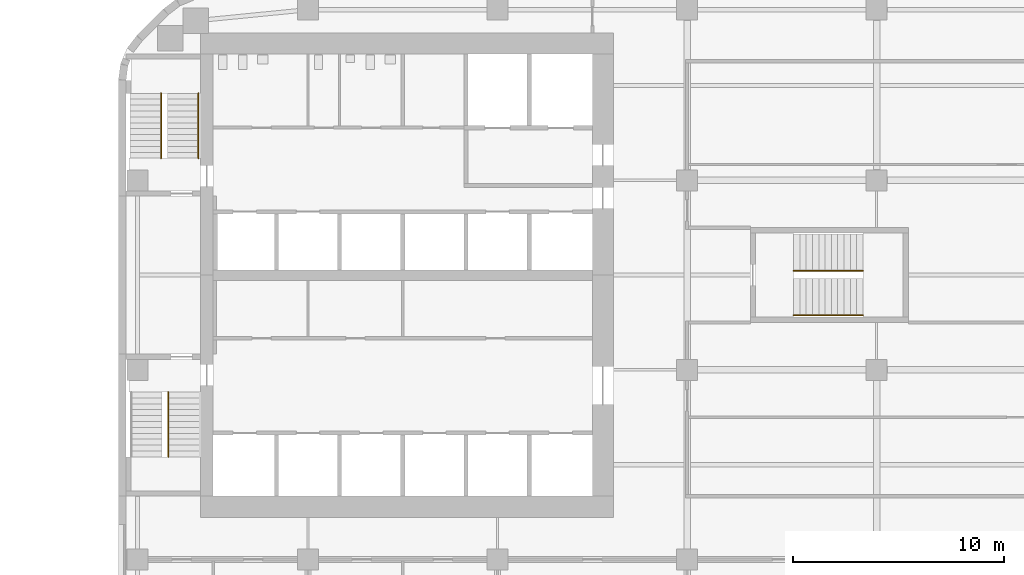
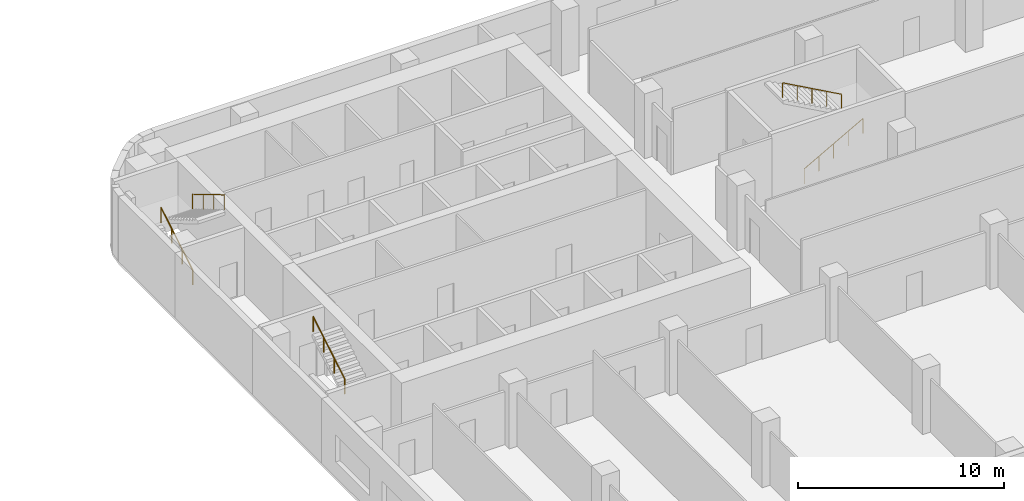
# One storey, part 14 of 15: 5 railings, 3 elements without a shape of their own.
"""IFC4 building model written with IfcOpenShell, lengths in metres."""

from ifc_helpers import new_model, si_unit, direction, frame, origin, origin_2d, place, context, subcontext, project, spatial, circle, extrude, material, type_object, element, aggregate, save


model = new_model("IFC4")

# Units and contexts
model_context = context("Model", 3, precision=1e-05, world=origin(), true_north=direction((0.0, 1.0)))
body_context = subcontext(model_context, "Body", "Model", "MODEL_VIEW")
ifc_project = project(units=[si_unit("LENGTHUNIT", "METRE"), si_unit("AREAUNIT", "SQUARE_METRE"), si_unit("VOLUMEUNIT", "CUBIC_METRE"), si_unit("PLANEANGLEUNIT", "RADIAN"), si_unit("MASSUNIT", "GRAM", prefix="KILO")], contexts=[model_context])

# Site, building, storey
site_placement = place(None, origin())
site = spatial("IfcSite", under=ifc_project, at=site_placement, CompositionType="ELEMENT")
building_placement = place(site_placement, origin())
building = spatial("IfcBuilding", under=site, at=building_placement, Name="Cinnabar Reach Civic Tower", CompositionType="ELEMENT")
storey_placement = place(building_placement, frame((0.0, 0.0, 59.0)))
storey = spatial("IfcBuildingStorey", under=building, at=storey_placement, Name="L13", CompositionType="ELEMENT", Elevation=59.0)

# Stair, railing
ifc_material_1 = material(Name="Concrete C40/50", Category="concrete")
stair_type = type_object("IfcStairType", Name="T1 Exit stair, half-turn", PredefinedType="HALF_TURN_STAIR", material=ifc_material_1)
stair_1_placement = place(storey_placement, origin())
stair_1 = element("IfcStair", 1, at=stair_1_placement, inside=storey, type_object=stair_type, Name="Stair T1-S1", PredefinedType="HALF_TURN_STAIR")
ifc_material_2 = material(Name="Stainless steel tube", Category="steel")
railing_type = type_object("IfcRailingType", Name="T1 Stair handrail, stainless tube 48", PredefinedType="HANDRAIL", material=ifc_material_2)
railing_1_placement = place(storey_placement, frame((2.375, 22.87, 2.1667)))
railing_1 = element("IfcRailing", 2, at=railing_1_placement, type_object=railing_type, Name="T1-S1 handrail 2", PredefinedType="HANDRAIL", context=body_context, shape_type="SweptSolid", body=[
    extrude(circle(Radius=0.024, at=origin_2d()), frame((0.0, 0.0, 0.876), z_axis=(0.0, 0.859296971757, 0.511476992962), x_axis=(-1.0, 0.0, 0.0)), (0.0, 0.0, 1.0), 3.5843),
    extrude(circle(Radius=0.021, at=origin_2d()), origin(), (0.0, 0.0, 1.0), 0.852),
    extrude(circle(Radius=0.021, at=origin_2d()), frame((0.0, 1.0267, 0.6111)), (0.0, 0.0, 1.0), 0.852),
    extrude(circle(Radius=0.021, at=origin_2d()), frame((0.0, 2.0533, 1.2222)), (0.0, 0.0, 1.0), 0.852),
    extrude(circle(Radius=0.021, at=origin_2d()), frame((0.0, 3.08, 1.8333)), (0.0, 0.0, 1.0), 0.852),
])
aggregate(stair_1, [railing_1])

# Stair, railings
stair_2_placement = place(storey_placement, origin())
stair_2 = element("IfcStair", 3, at=stair_2_placement, inside=storey, type_object=stair_type, Name="Stair T1-S2", PredefinedType="HALF_TURN_STAIR")
railing_2_placement = place(storey_placement, frame((2.025, 37.05, 0.1667)))
railing_2 = element("IfcRailing", 4, at=railing_2_placement, type_object=railing_type, Name="T1-S2 handrail 1", PredefinedType="HANDRAIL", context=body_context, shape_type="SweptSolid", body=[
    extrude(circle(Radius=0.024, at=origin_2d()), frame((0.0, 0.0, 0.876), z_axis=(0.0, 0.859296971757, 0.511476992962), x_axis=(-1.0, 0.0, 0.0)), (0.0, 0.0, 1.0), 3.5843),
    extrude(circle(Radius=0.021, at=origin_2d()), origin(), (0.0, 0.0, 1.0), 0.852),
    extrude(circle(Radius=0.021, at=origin_2d()), frame((0.0, 1.0267, 0.6111)), (0.0, 0.0, 1.0), 0.852),
    extrude(circle(Radius=0.021, at=origin_2d()), frame((0.0, 2.0533, 1.2222)), (0.0, 0.0, 1.0), 0.852),
    extrude(circle(Radius=0.021, at=origin_2d()), frame((0.0, 3.08, 1.8333)), (0.0, 0.0, 1.0), 0.852),
])
railing_3_placement = place(storey_placement, frame((3.8, 40.13, 2.1667)))
railing_3 = element("IfcRailing", 5, at=railing_3_placement, type_object=railing_type, Name="T1-S2 handrail 2", PredefinedType="HANDRAIL", context=body_context, shape_type="SweptSolid", body=[
    extrude(circle(Radius=0.024, at=origin_2d()), frame((0.0, 0.0, 0.876), z_axis=(0.0, -0.859296971757, 0.511476992962), x_axis=(1.0, 0.0, 0.0)), (0.0, 0.0, 1.0), 3.5843),
    extrude(circle(Radius=0.021, at=origin_2d()), origin(), (0.0, 0.0, 1.0), 0.852),
    extrude(circle(Radius=0.021, at=origin_2d()), frame((0.0, -1.0267, 0.6111)), (0.0, 0.0, 1.0), 0.852),
    extrude(circle(Radius=0.021, at=origin_2d()), frame((0.0, -2.0533, 1.2222)), (0.0, 0.0, 1.0), 0.852),
    extrude(circle(Radius=0.021, at=origin_2d()), frame((0.0, -3.08, 1.8333)), (0.0, 0.0, 1.0), 0.852),
])
aggregate(stair_2, [railing_2, railing_3])

stair_3_placement = place(storey_placement, origin())
stair_3 = element("IfcStair", 6, at=stair_3_placement, inside=storey, type_object=stair_type, Name="Stair T1-S3", PredefinedType="HALF_TURN_STAIR")
railing_4_placement = place(storey_placement, frame((32.05, 29.6, 0.1667)))
railing_4 = element("IfcRailing", 7, at=railing_4_placement, type_object=railing_type, Name="T1-S3 handrail 1", PredefinedType="HANDRAIL", context=body_context, shape_type="SweptSolid", body=[
    extrude(circle(Radius=0.024, at=origin_2d()), frame((0.0, 0.0, 0.876), z_axis=(0.874161024642, 0.0, 0.485636183781), x_axis=(0.0, 1.0, 0.0)), (0.0, 0.0, 1.0), 3.775),
    extrude(circle(Radius=0.021, at=origin_2d()), origin(), (0.0, 0.0, 1.0), 0.852),
    extrude(circle(Radius=0.021, at=origin_2d()), frame((0.825, 0.0, 0.4583)), (0.0, 0.0, 1.0), 0.852),
    extrude(circle(Radius=0.021, at=origin_2d()), frame((1.65, 0.0, 0.9167)), (0.0, 0.0, 1.0), 0.852),
    extrude(circle(Radius=0.021, at=origin_2d()), frame((2.475, 0.0, 1.375)), (0.0, 0.0, 1.0), 0.852),
    extrude(circle(Radius=0.021, at=origin_2d()), frame((3.3, 0.0, 1.8333)), (0.0, 0.0, 1.0), 0.852),
])
railing_5_placement = place(storey_placement, frame((35.35, 31.7, 2.1667)))
railing_5 = element("IfcRailing", 8, at=railing_5_placement, type_object=railing_type, Name="T1-S3 handrail 2", PredefinedType="HANDRAIL", context=body_context, shape_type="SweptSolid", body=[
    extrude(circle(Radius=0.024, at=origin_2d()), frame((0.0, 0.0, 0.876), z_axis=(-0.874161024642, 0.0, 0.485636183781), x_axis=(0.0, -1.0, 0.0)), (0.0, 0.0, 1.0), 3.775),
    extrude(circle(Radius=0.021, at=origin_2d()), origin(), (0.0, 0.0, 1.0), 0.852),
    extrude(circle(Radius=0.021, at=origin_2d()), frame((-0.825, 0.0, 0.4583)), (0.0, 0.0, 1.0), 0.852),
    extrude(circle(Radius=0.021, at=origin_2d()), frame((-1.65, 0.0, 0.9167)), (0.0, 0.0, 1.0), 0.852),
    extrude(circle(Radius=0.021, at=origin_2d()), frame((-2.475, 0.0, 1.375)), (0.0, 0.0, 1.0), 0.852),
    extrude(circle(Radius=0.021, at=origin_2d()), frame((-3.3, 0.0, 1.8333)), (0.0, 0.0, 1.0), 0.852),
])
aggregate(stair_3, [railing_4, railing_5])

save(model, "model.ifc")
